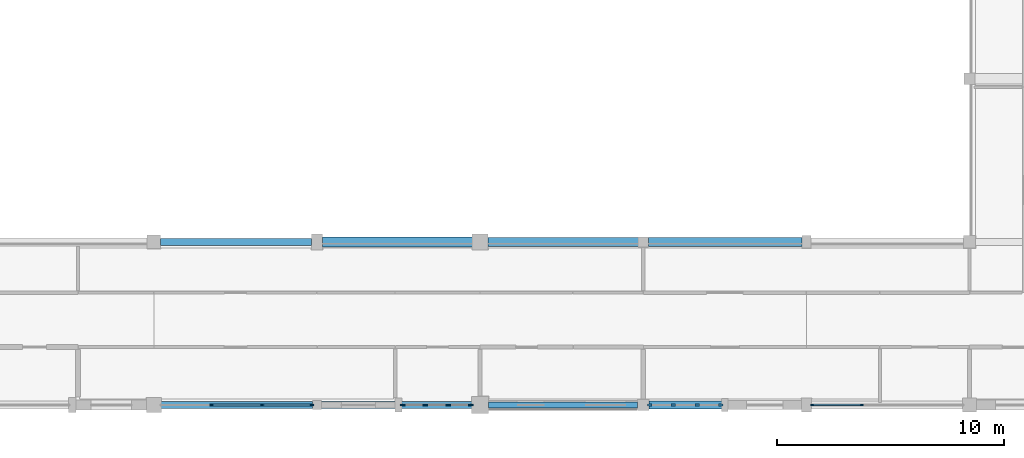
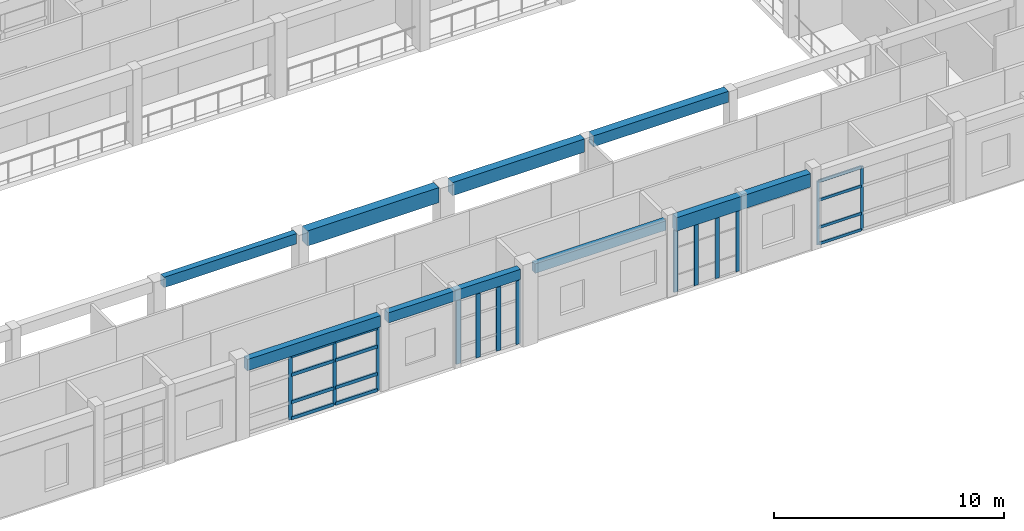
# One storey, part 14 of 110: 25 members, 8 beams, 4 elements without a shape of their own.
"""IFC4 building model written with IfcOpenShell, lengths in metres."""

from ifc_helpers import new_model, si_unit, direction, frame, origin, origin_2d, place, context, subcontext, project, spatial, rectangle, extrude, material, material_profile, profile_set, type_object, element, aggregate, save


model = new_model("IFC4")

# Units and contexts
model_context = context("Model", 3, precision=1e-05, world=origin(), true_north=direction((0.0, 1.0)))
body_context = subcontext(model_context, "Body", "Model", "MODEL_VIEW")
ifc_project = project(units=[si_unit("LENGTHUNIT", "METRE"), si_unit("AREAUNIT", "SQUARE_METRE"), si_unit("VOLUMEUNIT", "CUBIC_METRE"), si_unit("PLANEANGLEUNIT", "RADIAN"), si_unit("MASSUNIT", "GRAM", prefix="KILO")], contexts=[model_context])

# Site, building, storey
site_placement = place(None, origin())
site = spatial("IfcSite", under=ifc_project, at=site_placement, CompositionType="ELEMENT")
building_placement = place(site_placement, origin())
building = spatial("IfcBuilding", under=site, at=building_placement, Name="Steenspoor Specialist Clinic", CompositionType="ELEMENT")
storey_placement = place(building_placement, frame((0.0, 0.0, 4.800048828125)))
storey = spatial("IfcBuildingStorey", under=building, at=storey_placement, Name="L01", CompositionType="ELEMENT", Elevation=4.800048828125)

# Beams
ifc_material_1 = material(Name="Concrete C35/45", Category="concrete")
ifc_material_profile_1 = material_profile(ifc_material_1, rectangle(XDim=0.300048828125, YDim=0.550048828125, at=origin_2d()), Name="RC-BM-300X550")
ifc_profile_set_1 = profile_set([ifc_material_profile_1], Name="Concrete C35/45")
beam_type_1 = type_object("IfcBeamType", Name="BM-RC-300X550", PredefinedType="BEAM", material=ifc_profile_set_1)
beam_1_placement = place(storey_placement, frame((67.094970703125, 20.25, 3.760009765625), z_axis=(1.0, 0.0, 0.0), x_axis=(0.0, 1.0, 0.0)))
element("IfcBeam", 1, at=beam_1_placement, inside=storey, type_object=beam_type_1, Name="BM-V1-L01-X0125", PredefinedType="BEAM", context=body_context, shape_type="SweptSolid", body=[
    extrude(rectangle(XDim=0.300048828125, YDim=0.550048828125, at=origin_2d()), origin(), (0.0, 0.0, 1.0), 6.659912109375),
])
ifc_material_profile_2 = material_profile(ifc_material_1, rectangle(XDim=0.39990234375, YDim=0.580078125, at=origin_2d()), Name="RC-BM-400X580")
ifc_profile_set_2 = profile_set([ifc_material_profile_2], Name="Concrete C35/45")
beam_type_2 = type_object("IfcBeamType", Name="BM-RC-400X580", PredefinedType="BEAM", material=ifc_profile_set_2)
beam_2_placement = place(storey_placement, frame((88.6201171875, 20.25, 3.744873046875), z_axis=(1.0, 0.0, 0.0), x_axis=(0.0, 1.0, 0.0)))
element("IfcBeam", 2, at=beam_2_placement, inside=storey, type_object=beam_type_2, Name="BM-V1-L01-X0128", PredefinedType="BEAM", context=body_context, shape_type="SweptSolid", body=[
    extrude(rectangle(XDim=0.39990234375, YDim=0.580078125, at=origin_2d()), origin(), (0.0, 0.0, 1.0), 6.784912109375),
])
ifc_material_profile_3 = material_profile(ifc_material_1, rectangle(XDim=0.39990234375, YDim=0.699951171875, at=origin_2d()), Name="RC-BM-400X700")
ifc_profile_set_3 = profile_set([ifc_material_profile_3], Name="Concrete C35/45")
beam_type_3 = type_object("IfcBeamType", Name="BM-RC-400X700", PredefinedType="BEAM", material=ifc_profile_set_3)
beam_3_placement = place(storey_placement, frame((81.544921875, 20.25, 3.68505859375), z_axis=(1.0, 0.0, 0.0), x_axis=(0.0, 1.0, 0.0)))
element("IfcBeam", 3, at=beam_3_placement, inside=storey, type_object=beam_type_3, Name="BM-V1-L01-X0127", PredefinedType="BEAM", context=body_context, shape_type="SweptSolid", body=[
    extrude(rectangle(XDim=0.39990234375, YDim=0.699951171875, at=origin_2d()), origin(), (0.0, 0.0, 1.0), 6.635009765625),
])
ifc_material_profile_4 = material_profile(ifc_material_1, rectangle(XDim=0.449951171875, YDim=0.800048828125, at=origin_2d()), Name="RC-BM-450X800")
ifc_profile_set_4 = profile_set([ifc_material_profile_4], Name="Concrete C35/45")
beam_type_4 = type_object("IfcBeamType", Name="BM-RC-450X800", PredefinedType="BEAM", material=ifc_profile_set_4)
beam_4_placement = place(storey_placement, frame((74.2451171875, 20.25, 3.635009765625), z_axis=(1.0, 0.0, 0.0), x_axis=(0.0, 1.0, 0.0)))
element("IfcBeam", 4, at=beam_4_placement, inside=storey, type_object=beam_type_4, Name="BM-V1-L01-X0126", PredefinedType="BEAM", context=body_context, shape_type="SweptSolid", body=[
    extrude(rectangle(XDim=0.449951171875, YDim=0.800048828125, at=origin_2d()), origin(), (0.0, 0.0, 1.0), 6.60986328125),
])

# Curtain wall, members
ifc_material_2 = material(Name="Thermally broken aluminium and low-emissivity glass", Category="aluminium")
curtain_wall_type_1 = type_object("IfcCurtainWallType", Name="CW-TYP-240X355", PredefinedType="USERDEFINED", material=ifc_material_2)
curtain_wall_1_placement = place(storey_placement, origin())
curtain_wall_1 = element("IfcCurtainWall", 5, at=curtain_wall_1_placement, inside=storey, type_object=curtain_wall_type_1, Name="Unitised Curtain Wall CW-V1-L01-016", ObjectType="UNITISED GLAZING", PredefinedType="USERDEFINED")
ifc_material_3 = material(Name="Thermally broken aluminium 6063-T6", Category="aluminium")
ifc_material_profile_5 = material_profile(ifc_material_3, rectangle(XDim=0.06005859375, YDim=0.135009765625, at=origin_2d()), Name="CWM-60X135")
ifc_profile_set_5 = profile_set([ifc_material_profile_5], Name="Thermally broken aluminium 6063-T6")
member_type_1 = type_object("IfcMemberType", Name="CW-MULL-60X135", PredefinedType="MULLION", material=ifc_profile_set_5)
member_1_placement = place(storey_placement, frame((98.050048828125, 13.050048828125, 0.0), z_axis=(0.0, 0.0, 1.0), x_axis=(0.0, -1.0, 0.0)))
member_1 = element("IfcMember", 6, at=member_1_placement, type_object=member_type_1, Name="CW-16 mullion 3", PredefinedType="MULLION", context=body_context, shape_type="SweptSolid", body=[
    extrude(rectangle(XDim=0.06005859375, YDim=0.135009765625, at=origin_2d()), origin(), (0.0, 0.0, 1.0), 3.3798828125),
])
member_2_placement = place(storey_placement, frame((95.85498046875, 13.050048828125, 0.0), z_axis=(0.0, 0.0, 1.0), x_axis=(0.0, -1.0, 0.0)))
member_2 = element("IfcMember", 7, at=member_2_placement, type_object=member_type_1, Name="CW-16 mullion 4", PredefinedType="MULLION", context=body_context, shape_type="SweptSolid", body=[
    extrude(rectangle(XDim=0.06005859375, YDim=0.135009765625, at=origin_2d()), origin(), (0.0, 0.0, 1.0), 3.3798828125),
])

curtain_wall_type_2 = type_object("IfcCurtainWallType", Name="CW-SCR-360X320", PredefinedType="USERDEFINED", material=ifc_material_2)
curtain_wall_2_placement = place(storey_placement, origin())
curtain_wall_2 = element("IfcCurtainWall", 8, at=curtain_wall_2_placement, inside=storey, type_object=curtain_wall_type_2, Name="Unitised Curtain Wall CW-V1-L01-019", ObjectType="UNITISED GLAZING", PredefinedType="USERDEFINED")
ifc_material_profile_6 = material_profile(ifc_material_3, rectangle(XDim=0.080078125, YDim=0.179931640625, at=origin_2d()), Name="CWM-80X180")
ifc_profile_set_6 = profile_set([ifc_material_profile_6], Name="Thermally broken aluminium 6063-T6")
member_type_2 = type_object("IfcMemberType", Name="CW-MULL-80X180", PredefinedType="MULLION", material=ifc_profile_set_6)
member_3_placement = place(storey_placement, frame((73.760009765625, 13.050048828125, 0.0), z_axis=(0.0, 0.0, 1.0), x_axis=(0.0, -1.0, 0.0)))
member_3 = element("IfcMember", 9, at=member_3_placement, type_object=member_type_2, Name="CW-19 mullion 1", PredefinedType="MULLION", context=body_context, shape_type="SweptSolid", body=[
    extrude(rectangle(XDim=0.080078125, YDim=0.179931640625, at=origin_2d()), origin(), (0.0, 0.0, 1.0), 3.3798828125),
])
member_4_placement = place(storey_placement, frame((71.574951171875, 13.050048828125, 0.0), z_axis=(0.0, 0.0, 1.0), x_axis=(0.0, -1.0, 0.0)))
member_4 = element("IfcMember", 10, at=member_4_placement, type_object=member_type_2, Name="CW-19 mullion 2", PredefinedType="MULLION", context=body_context, shape_type="SweptSolid", body=[
    extrude(rectangle(XDim=0.080078125, YDim=0.179931640625, at=origin_2d()), origin(), (0.0, 0.0, 1.0), 3.3798828125),
])
member_5_placement = place(storey_placement, frame((69.35009765625, 13.050048828125, 0.0), z_axis=(0.0, 0.0, 1.0), x_axis=(0.0, -1.0, 0.0)))
member_5 = element("IfcMember", 11, at=member_5_placement, type_object=member_type_2, Name="CW-19 mullion 3", PredefinedType="MULLION", context=body_context, shape_type="SweptSolid", body=[
    extrude(rectangle(XDim=0.080078125, YDim=0.179931640625, at=origin_2d()), origin(), (0.0, 0.0, 1.0), 3.3798828125),
])

curtain_wall_type_3 = type_object("IfcCurtainWallType", Name="CW-SCR-480X320", PredefinedType="USERDEFINED", material=ifc_material_2)
curtain_wall_3_placement = place(storey_placement, origin())
curtain_wall_3 = element("IfcCurtainWall", 12, at=curtain_wall_3_placement, inside=storey, type_object=curtain_wall_type_3, Name="Unitised Curtain Wall CW-V1-L01-018", ObjectType="UNITISED GLAZING", PredefinedType="USERDEFINED")
ifc_material_profile_7 = material_profile(ifc_material_3, rectangle(XDim=0.080078125, YDim=0.219970703125, at=origin_2d()), Name="CWM-80X220")
ifc_profile_set_7 = profile_set([ifc_material_profile_7], Name="Thermally broken aluminium 6063-T6")
member_type_3 = type_object("IfcMemberType", Name="CW-MULL-80X220", PredefinedType="MULLION", material=ifc_profile_set_7)
member_6_placement = place(storey_placement, frame((80.784912109375, 13.050048828125, 0.0), z_axis=(0.0, 0.0, 1.0), x_axis=(0.0, -1.0, 0.0)))
member_6 = element("IfcMember", 13, at=member_6_placement, type_object=member_type_3, Name="CW-18 mullion 1", PredefinedType="MULLION", context=body_context, shape_type="SweptSolid", body=[
    extrude(rectangle(XDim=0.080078125, YDim=0.219970703125, at=origin_2d()), origin(), (0.0, 0.0, 1.0), 3.3798828125),
])
member_7_placement = place(storey_placement, frame((79.800048828125, 13.050048828125, 0.0), z_axis=(0.0, 0.0, 1.0), x_axis=(0.0, -1.0, 0.0)))
member_7 = element("IfcMember", 14, at=member_7_placement, type_object=member_type_3, Name="CW-18 mullion 2", PredefinedType="MULLION", context=body_context, shape_type="SweptSolid", body=[
    extrude(rectangle(XDim=0.080078125, YDim=0.219970703125, at=origin_2d()), origin(), (0.0, 0.0, 1.0), 3.3798828125),
])
member_8_placement = place(storey_placement, frame((78.77490234375, 13.050048828125, 0.0), z_axis=(0.0, 0.0, 1.0), x_axis=(0.0, -1.0, 0.0)))
member_8 = element("IfcMember", 15, at=member_8_placement, type_object=member_type_3, Name="CW-18 mullion 3", PredefinedType="MULLION", context=body_context, shape_type="SweptSolid", body=[
    extrude(rectangle(XDim=0.080078125, YDim=0.219970703125, at=origin_2d()), origin(), (0.0, 0.0, 1.0), 3.3798828125),
])
member_9_placement = place(storey_placement, frame((77.7900390625, 13.050048828125, 0.0), z_axis=(0.0, 0.0, 1.0), x_axis=(0.0, -1.0, 0.0)))
member_9 = element("IfcMember", 16, at=member_9_placement, type_object=member_type_3, Name="CW-18 mullion 4", PredefinedType="MULLION", context=body_context, shape_type="SweptSolid", body=[
    extrude(rectangle(XDim=0.080078125, YDim=0.219970703125, at=origin_2d()), origin(), (0.0, 0.0, 1.0), 3.3798828125),
])
aggregate(curtain_wall_3, [member_6, member_7, member_8, member_9])

curtain_wall_type_4 = type_object("IfcCurtainWallType", Name="CW-SCR-660X320", PredefinedType="USERDEFINED", material=ifc_material_2)
curtain_wall_4_placement = place(storey_placement, origin())
curtain_wall_4 = element("IfcCurtainWall", 17, at=curtain_wall_4_placement, inside=storey, type_object=curtain_wall_type_4, Name="Unitised Curtain Wall CW-V1-L01-017", ObjectType="UNITISED GLAZING", PredefinedType="USERDEFINED")
ifc_material_profile_8 = material_profile(ifc_material_3, rectangle(XDim=0.090087890625, YDim=0.199951171875, at=origin_2d()), Name="CWM-90X200")
ifc_profile_set_8 = profile_set([ifc_material_profile_8], Name="Thermally broken aluminium 6063-T6")
member_type_4 = type_object("IfcMemberType", Name="CW-MULL-90X200", PredefinedType="MULLION", material=ifc_profile_set_8)
member_10_placement = place(storey_placement, frame((91.81494140625, 13.050048828125, 0.0), z_axis=(0.0, 0.0, 1.0), x_axis=(0.0, -1.0, 0.0)))
member_10 = element("IfcMember", 18, at=member_10_placement, type_object=member_type_4, Name="CW-17 mullion 1", PredefinedType="MULLION", context=body_context, shape_type="SweptSolid", body=[
    extrude(rectangle(XDim=0.090087890625, YDim=0.199951171875, at=origin_2d()), origin(), (0.0, 0.0, 1.0), 3.300048828125),
])
member_11_placement = place(storey_placement, frame((90.7900390625, 13.050048828125, 0.0), z_axis=(0.0, 0.0, 1.0), x_axis=(0.0, -1.0, 0.0)))
member_11 = element("IfcMember", 19, at=member_11_placement, type_object=member_type_4, Name="CW-17 mullion 2", PredefinedType="MULLION", context=body_context, shape_type="SweptSolid", body=[
    extrude(rectangle(XDim=0.090087890625, YDim=0.199951171875, at=origin_2d()), origin(), (0.0, 0.0, 1.0), 3.300048828125),
])
member_12_placement = place(storey_placement, frame((89.719970703125, 13.050048828125, 0.0), z_axis=(0.0, 0.0, 1.0), x_axis=(0.0, -1.0, 0.0)))
member_12 = element("IfcMember", 20, at=member_12_placement, type_object=member_type_4, Name="CW-17 mullion 3", PredefinedType="MULLION", context=body_context, shape_type="SweptSolid", body=[
    extrude(rectangle(XDim=0.090087890625, YDim=0.199951171875, at=origin_2d()), origin(), (0.0, 0.0, 1.0), 3.300048828125),
])
member_13_placement = place(storey_placement, frame((88.695068359375, 13.050048828125, 0.0), z_axis=(0.0, 0.0, 1.0), x_axis=(0.0, -1.0, 0.0)))
member_13 = element("IfcMember", 21, at=member_13_placement, type_object=member_type_4, Name="CW-17 mullion 4", PredefinedType="MULLION", context=body_context, shape_type="SweptSolid", body=[
    extrude(rectangle(XDim=0.090087890625, YDim=0.199951171875, at=origin_2d()), origin(), (0.0, 0.0, 1.0), 3.300048828125),
])
aggregate(curtain_wall_4, [member_10, member_11, member_12, member_13])

# Member
ifc_material_profile_9 = material_profile(ifc_material_3, rectangle(XDim=0.070068359375, YDim=0.14501953125, at=origin_2d()), Name="CWT-70X145")
ifc_profile_set_9 = profile_set([ifc_material_profile_9], Name="Thermally broken aluminium 6063-T6")
member_type_5 = type_object("IfcMemberType", Name="CW-TRAN-70X145", PredefinedType="USERDEFINED", material=ifc_profile_set_9)
member_14_placement = place(storey_placement, frame((98.02001953125, 13.050048828125, 0.034912109375), z_axis=(-1.0, 0.0, 0.0), x_axis=(0.0, -1.0, 0.0)))
member_14 = element("IfcMember", 22, at=member_14_placement, type_object=member_type_5, Name="CW-16 transom 3.1", ObjectType="TRANSOM", PredefinedType="USERDEFINED", context=body_context, shape_type="SweptSolid", body=[
    extrude(rectangle(XDim=0.070068359375, YDim=0.14501953125, at=origin_2d()), origin(), (0.0, 0.0, 1.0), 2.135009765625),
])

member_15_placement = place(storey_placement, frame((98.02001953125, 13.050048828125, 0.89990234375), z_axis=(-1.0, 0.0, 0.0), x_axis=(0.0, -1.0, 0.0)))
member_15 = element("IfcMember", 23, at=member_15_placement, type_object=member_type_5, Name="CW-16 transom 3.2", ObjectType="TRANSOM", PredefinedType="USERDEFINED", context=body_context, shape_type="SweptSolid", body=[
    extrude(rectangle(XDim=0.070068359375, YDim=0.14501953125, at=origin_2d()), origin(), (0.0, 0.0, 1.0), 2.135009765625),
])

member_16_placement = place(storey_placement, frame((98.02001953125, 13.050048828125, 2.349853515625), z_axis=(-1.0, 0.0, 0.0), x_axis=(0.0, -1.0, 0.0)))
member_16 = element("IfcMember", 24, at=member_16_placement, type_object=member_type_5, Name="CW-16 transom 3.3", ObjectType="TRANSOM", PredefinedType="USERDEFINED", context=body_context, shape_type="SweptSolid", body=[
    extrude(rectangle(XDim=0.070068359375, YDim=0.14501953125, at=origin_2d()), origin(), (0.0, 0.0, 1.0), 2.135009765625),
])

member_17_placement = place(storey_placement, frame((98.02001953125, 13.050048828125, 3.344970703125), z_axis=(-1.0, 0.0, 0.0), x_axis=(0.0, -1.0, 0.0)))
member_17 = element("IfcMember", 25, at=member_17_placement, type_object=member_type_5, Name="CW-16 transom 3.4", ObjectType="TRANSOM", PredefinedType="USERDEFINED", context=body_context, shape_type="SweptSolid", body=[
    extrude(rectangle(XDim=0.070068359375, YDim=0.14501953125, at=origin_2d()), origin(), (0.0, 0.0, 1.0), 2.135009765625),
])

aggregate(curtain_wall_1, [member_1, member_2, member_14, member_15, member_16, member_17])

ifc_material_profile_10 = material_profile(ifc_material_3, rectangle(XDim=0.090087890625, YDim=0.175048828125, at=origin_2d()), Name="CWT-90X175")
ifc_profile_set_10 = profile_set([ifc_material_profile_10], Name="Thermally broken aluminium 6063-T6")
member_type_6 = type_object("IfcMemberType", Name="CW-TRAN-90X175", PredefinedType="USERDEFINED", material=ifc_profile_set_10)
member_18_placement = place(storey_placement, frame((73.719970703125, 13.050048828125, 0.044921875), z_axis=(-1.0, 0.0, 0.0), x_axis=(0.0, -1.0, 0.0)))
member_18 = element("IfcMember", 26, at=member_18_placement, type_object=member_type_6, Name="CW-19 transom 1.1", ObjectType="TRANSOM", PredefinedType="USERDEFINED", context=body_context, shape_type="SweptSolid", body=[
    extrude(rectangle(XDim=0.090087890625, YDim=0.175048828125, at=origin_2d()), origin(), (0.0, 0.0, 1.0), 2.10498046875),
])

member_19_placement = place(storey_placement, frame((73.719970703125, 13.050048828125, 0.89990234375), z_axis=(-1.0, 0.0, 0.0), x_axis=(0.0, -1.0, 0.0)))
member_19 = element("IfcMember", 27, at=member_19_placement, type_object=member_type_6, Name="CW-19 transom 1.2", ObjectType="TRANSOM", PredefinedType="USERDEFINED", context=body_context, shape_type="SweptSolid", body=[
    extrude(rectangle(XDim=0.090087890625, YDim=0.175048828125, at=origin_2d()), origin(), (0.0, 0.0, 1.0), 2.10498046875),
])

member_20_placement = place(storey_placement, frame((73.719970703125, 13.050048828125, 2.349853515625), z_axis=(-1.0, 0.0, 0.0), x_axis=(0.0, -1.0, 0.0)))
member_20 = element("IfcMember", 28, at=member_20_placement, type_object=member_type_6, Name="CW-19 transom 1.3", ObjectType="TRANSOM", PredefinedType="USERDEFINED", context=body_context, shape_type="SweptSolid", body=[
    extrude(rectangle(XDim=0.090087890625, YDim=0.175048828125, at=origin_2d()), origin(), (0.0, 0.0, 1.0), 2.10498046875),
])

member_21_placement = place(storey_placement, frame((73.719970703125, 13.050048828125, 3.3349609375), z_axis=(-1.0, 0.0, 0.0), x_axis=(0.0, -1.0, 0.0)))
member_21 = element("IfcMember", 29, at=member_21_placement, type_object=member_type_6, Name="CW-19 transom 1.4", ObjectType="TRANSOM", PredefinedType="USERDEFINED", context=body_context, shape_type="SweptSolid", body=[
    extrude(rectangle(XDim=0.090087890625, YDim=0.175048828125, at=origin_2d()), origin(), (0.0, 0.0, 1.0), 2.10498046875),
])

member_22_placement = place(storey_placement, frame((71.534912109375, 13.050048828125, 0.044921875), z_axis=(-1.0, 0.0, 0.0), x_axis=(0.0, -1.0, 0.0)))
member_22 = element("IfcMember", 30, at=member_22_placement, type_object=member_type_6, Name="CW-19 transom 2.1", ObjectType="TRANSOM", PredefinedType="USERDEFINED", context=body_context, shape_type="SweptSolid", body=[
    extrude(rectangle(XDim=0.090087890625, YDim=0.175048828125, at=origin_2d()), origin(), (0.0, 0.0, 1.0), 2.14501953125),
])

member_23_placement = place(storey_placement, frame((71.534912109375, 13.050048828125, 0.89990234375), z_axis=(-1.0, 0.0, 0.0), x_axis=(0.0, -1.0, 0.0)))
member_23 = element("IfcMember", 31, at=member_23_placement, type_object=member_type_6, Name="CW-19 transom 2.2", ObjectType="TRANSOM", PredefinedType="USERDEFINED", context=body_context, shape_type="SweptSolid", body=[
    extrude(rectangle(XDim=0.090087890625, YDim=0.175048828125, at=origin_2d()), origin(), (0.0, 0.0, 1.0), 2.14501953125),
])

member_24_placement = place(storey_placement, frame((71.534912109375, 13.050048828125, 2.349853515625), z_axis=(-1.0, 0.0, 0.0), x_axis=(0.0, -1.0, 0.0)))
member_24 = element("IfcMember", 32, at=member_24_placement, type_object=member_type_6, Name="CW-19 transom 2.3", ObjectType="TRANSOM", PredefinedType="USERDEFINED", context=body_context, shape_type="SweptSolid", body=[
    extrude(rectangle(XDim=0.090087890625, YDim=0.175048828125, at=origin_2d()), origin(), (0.0, 0.0, 1.0), 2.14501953125),
])

member_25_placement = place(storey_placement, frame((71.534912109375, 13.050048828125, 3.3349609375), z_axis=(-1.0, 0.0, 0.0), x_axis=(0.0, -1.0, 0.0)))
member_25 = element("IfcMember", 33, at=member_25_placement, type_object=member_type_6, Name="CW-19 transom 2.4", ObjectType="TRANSOM", PredefinedType="USERDEFINED", context=body_context, shape_type="SweptSolid", body=[
    extrude(rectangle(XDim=0.090087890625, YDim=0.175048828125, at=origin_2d()), origin(), (0.0, 0.0, 1.0), 2.14501953125),
])

aggregate(curtain_wall_2, [member_3, member_4, member_5, member_18, member_19, member_20, member_21, member_22, member_23, member_24, member_25])

# Beams
ifc_material_profile_11 = material_profile(ifc_material_1, rectangle(XDim=0.280029296875, YDim=0.5, at=origin_2d()), Name="RC-SP-280X500")
ifc_profile_set_11 = profile_set([ifc_material_profile_11], Name="Concrete C35/45")
beam_type_5 = type_object("IfcBeamType", Name="SP-RC-280X500", PredefinedType="SPANDREL", material=ifc_profile_set_11)
beam_5_placement = place(storey_placement, frame((81.570068359375, 13.050048828125, 3.784912109375), z_axis=(1.0, 0.0, 0.0), x_axis=(0.0, 1.0, 0.0)))
element("IfcBeam", 34, at=beam_5_placement, inside=storey, type_object=beam_type_5, Name="BM-V1-L01-X0119", PredefinedType="SPANDREL", context=body_context, shape_type="SweptSolid", body=[
    extrude(rectangle(XDim=0.280029296875, YDim=0.5, at=origin_2d()), origin(), (0.0, 0.0, 1.0), 6.5849609375),
])
ifc_material_profile_12 = material_profile(ifc_material_1, rectangle(XDim=0.320068359375, YDim=0.5400390625, at=origin_2d()), Name="RC-SP-320X540")
ifc_profile_set_12 = profile_set([ifc_material_profile_12], Name="Concrete C35/45")
beam_type_6 = type_object("IfcBeamType", Name="SP-RC-320X540", PredefinedType="SPANDREL", material=ifc_profile_set_12)
beam_6_placement = place(storey_placement, frame((74.195068359375, 13.050048828125, 3.764892578125), z_axis=(1.0, 0.0, 0.0), x_axis=(0.0, 1.0, 0.0)))
element("IfcBeam", 35, at=beam_6_placement, inside=storey, type_object=beam_type_6, Name="BM-V1-L01-X0118", PredefinedType="SPANDREL", context=body_context, shape_type="SweptSolid", body=[
    extrude(rectangle(XDim=0.320068359375, YDim=0.5400390625, at=origin_2d()), origin(), (0.0, 0.0, 1.0), 6.635009765625),
])
ifc_material_profile_13 = material_profile(ifc_material_1, rectangle(XDim=0.320068359375, YDim=0.60009765625, at=origin_2d()), Name="RC-SP-320X600")
ifc_profile_set_13 = profile_set([ifc_material_profile_13], Name="Concrete C35/45")
beam_type_7 = type_object("IfcBeamType", Name="SP-RC-320X600", PredefinedType="SPANDREL", material=ifc_profile_set_13)
beam_7_placement = place(storey_placement, frame((67.1201171875, 13.050048828125, 3.73486328125), z_axis=(1.0, 0.0, 0.0), x_axis=(0.0, 1.0, 0.0)))
element("IfcBeam", 36, at=beam_7_placement, inside=storey, type_object=beam_type_7, Name="BM-V1-L01-X0117", PredefinedType="SPANDREL", context=body_context, shape_type="SweptSolid", body=[
    extrude(rectangle(XDim=0.320068359375, YDim=0.60009765625, at=origin_2d()), origin(), (0.0, 0.0, 1.0), 6.684814453125),
])
ifc_material_profile_14 = material_profile(ifc_material_1, rectangle(XDim=0.360107421875, YDim=0.719970703125, at=origin_2d()), Name="RC-SP-360X720")
ifc_profile_set_14 = profile_set([ifc_material_profile_14], Name="Concrete C35/45")
beam_type_8 = type_object("IfcBeamType", Name="SP-RC-360X720", PredefinedType="SPANDREL", material=ifc_profile_set_14)
beam_8_placement = place(storey_placement, frame((88.64501953125, 13.050048828125, 3.675048828125), z_axis=(1.0, 0.0, 0.0), x_axis=(0.0, 1.0, 0.0)))
element("IfcBeam", 37, at=beam_8_placement, inside=storey, type_object=beam_type_8, Name="BM-V1-L01-X0120", PredefinedType="SPANDREL", context=body_context, shape_type="SweptSolid", body=[
    extrude(rectangle(XDim=0.360107421875, YDim=0.719970703125, at=origin_2d()), origin(), (0.0, 0.0, 1.0), 6.73486328125),
])

save(model, "model.ifc")
